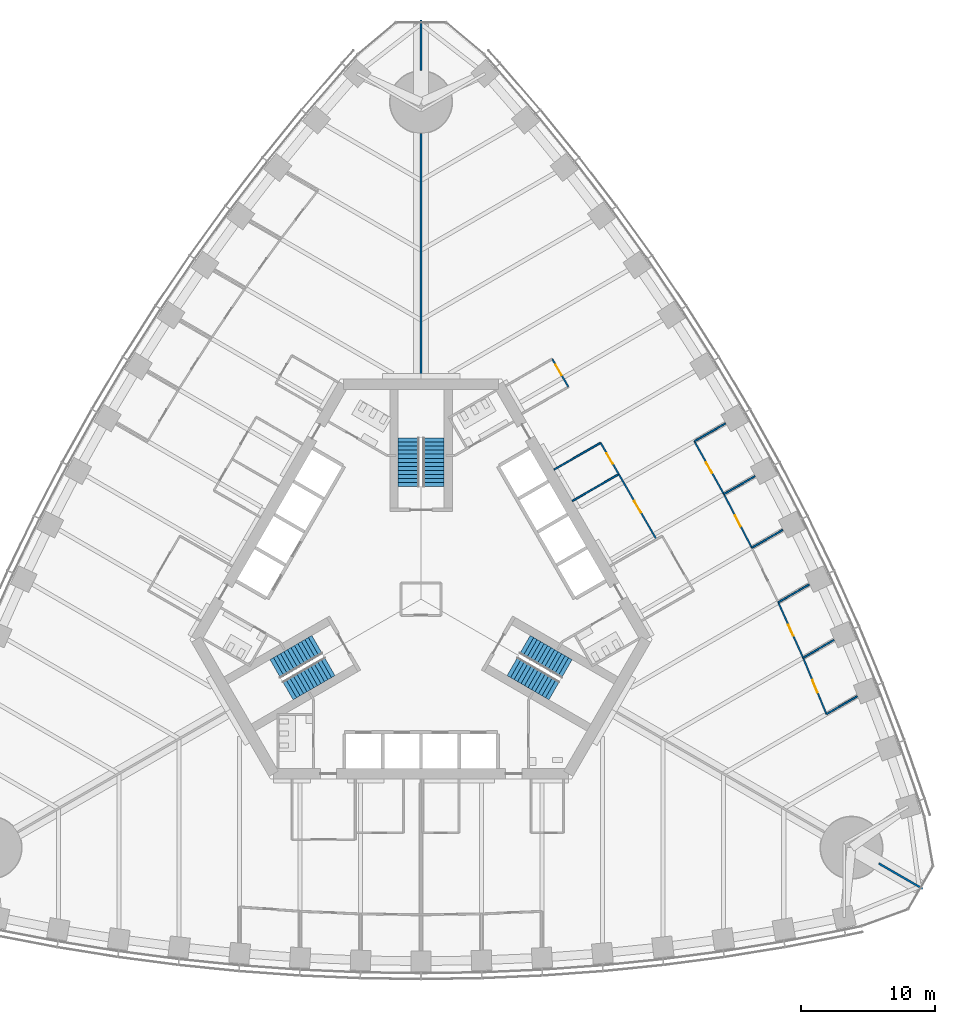
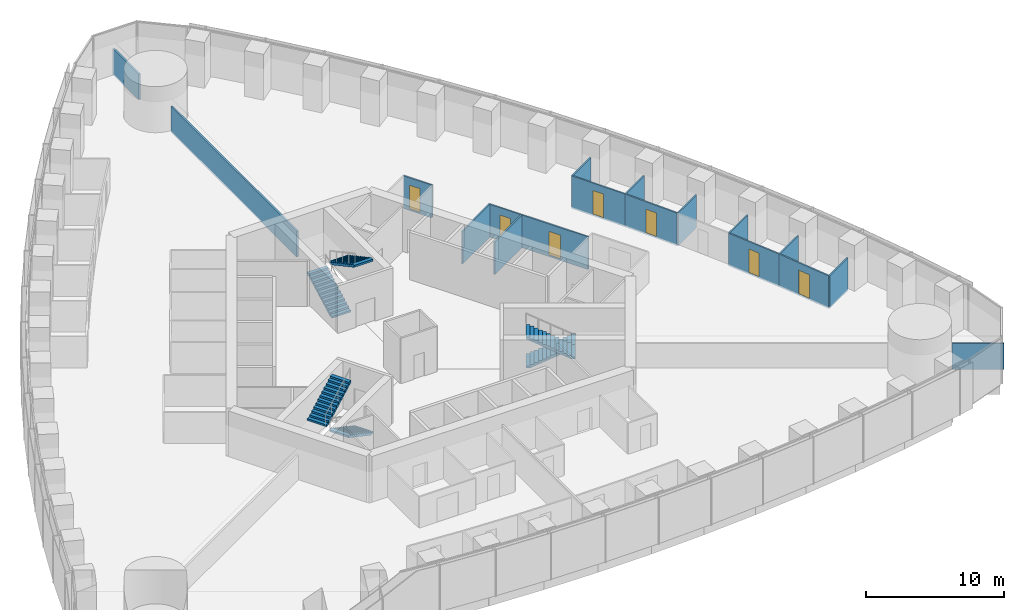
# One storey, part 13 of 18: 18 walls, 7 doors, 6 stair flights, 7 openings, 3 elements without a shape of their own.
"""IFC4 building model written with IfcOpenShell, lengths in metres."""

from ifc_helpers import new_model, si_unit, direction, frame, frame_2d, origin, place, context, subcontext, project, spatial, polyline, rectangle, outline, extrude, material, layer, layer_set, type_object, element, fill, aggregate, save


model = new_model("IFC4")

# Units and contexts
model_context = context("Model", 3, precision=1e-05, world=origin(), true_north=direction((0.0, 1.0)))
body_context = subcontext(model_context, "Body", "Model", "MODEL_VIEW")
ifc_project = project(units=[si_unit("LENGTHUNIT", "METRE"), si_unit("AREAUNIT", "SQUARE_METRE"), si_unit("VOLUMEUNIT", "CUBIC_METRE"), si_unit("PLANEANGLEUNIT", "RADIAN"), si_unit("MASSUNIT", "GRAM", prefix="KILO")], contexts=[model_context])

# Site, building, storey
site_placement = place(None, origin())
site = spatial("IfcSite", under=ifc_project, at=site_placement, CompositionType="ELEMENT")
building_placement = place(site_placement, origin())
building = spatial("IfcBuilding", under=site, at=building_placement, Name="Trefoil Bronze Tower", CompositionType="ELEMENT")
storey_placement = place(building_placement, frame((0.0, 0.0, 29.10009765625)))
storey = spatial("IfcBuildingStorey", under=building, at=storey_placement, Name="L06", CompositionType="ELEMENT", Elevation=29.10009765625)

# Wall, opening, door
ifc_material_1 = material(Name="Glazed partition", Category="glass")
ifc_layer_1 = layer(ifc_material_1, 0.1201171875)
ifc_layer_set_1 = layer_set([ifc_layer_1], Name="Glazed partition 120")
wall_type_1 = type_object("IfcWallType", Name="Glazed partition 120", PredefinedType="PARTITIONING", material=ifc_layer_set_1)
wall_1_placement = place(storey_placement, frame((14.71875, 9.30615234375, 0.0), z_axis=(0.0, 0.0, 1.0), x_axis=(-0.4999416173, 0.866059108428, 0.0)))
wall_1 = element("IfcWall", 1, at=wall_1_placement, inside=storey, type_object=wall_type_1, Name="Partition F2 L06", PredefinedType="PARTITIONING", context=body_context, shape_type="SweptSolid", body=[
    extrude(rectangle(XDim=2.699951171875, YDim=0.1201171875, at=frame_2d((1.35009765625, 0.0))), origin(), (0.0, 0.0, 1.0), 2.89990234375),
])
opening_1_placement = place(wall_1_placement, frame((0.89990234375, 0.0, 0.14990234375)))
opening_1 = element("IfcOpeningElement", 2, at=opening_1_placement, cuts=wall_1, Name="Opening D8", PredefinedType="OPENING", context=body_context, shape_type="SweptSolid", body=[
    extrude(rectangle(XDim=0.89990234375, YDim=2.10009765625, at=frame_2d((0.449951171875, 1.050048828125))), frame((0.0, 0.070068359375, 0.0), z_axis=(0.0, -1.0, 0.0), x_axis=(1.0, 0.0, 0.0)), (0.0, 0.0, 1.0), 0.14013671875),
])
ifc_material_2 = material(Name="Timber door", Category="wood")
door_type_1 = type_object("IfcDoorType", Name="Office door 900", OperationType="SINGLE_SWING_LEFT", PredefinedType="DOOR", material=ifc_material_2)
door_1_placement = place(opening_1_placement, origin())
door_1 = element("IfcDoor", 3, at=door_1_placement, inside=storey, type_object=door_type_1, Name="Pantry door F2 L06", OperationType="SINGLE_SWING_RIGHT", OverallHeight=2.10009765625, OverallWidth=0.89990234375, PredefinedType="DOOR", context=body_context, shape_type="SweptSolid", body=[
    extrude(rectangle(XDim=0.89990234375, YDim=2.10009765625, at=frame_2d((0.449951171875, 1.050048828125))), frame((0.0, 0.02490234375, 0.0), z_axis=(0.0, -1.0, 0.0), x_axis=(1.0, 0.0, 0.0)), (0.0, 0.0, 1.0), 0.050048828125),
])
fill(opening_1, door_1)

wall_2_placement = place(storey_placement, frame((10.96875, 15.801513671875, 0.0), z_axis=(0.0, 0.0, 1.0), x_axis=(-0.500001309137, 0.866024647952, 0.0)))
wall_2 = element("IfcWall", 4, at=wall_2_placement, inside=storey, type_object=wall_type_1, Name="Partition F2 L06", PredefinedType="PARTITIONING", context=body_context, shape_type="SweptSolid", body=[
    extrude(rectangle(XDim=2.39990234375, YDim=0.1201171875, at=frame_2d((1.199951171875, 0.0))), origin(), (0.0, 0.0, 1.0), 2.89990234375),
])
opening_2_placement = place(wall_2_placement, frame((1.0, 0.0, 0.14990234375)))
opening_2 = element("IfcOpeningElement", 5, at=opening_2_placement, cuts=wall_2, Name="Opening D8", PredefinedType="OPENING", context=body_context, shape_type="SweptSolid", body=[
    extrude(rectangle(XDim=0.89990234375, YDim=2.10009765625, at=frame_2d((0.449951171875, 1.050048828125))), frame((0.0, 0.070068359375, 0.0), z_axis=(0.0, -1.0, 0.0), x_axis=(1.0, 0.0, 0.0)), (0.0, 0.0, 1.0), 0.14013671875),
])
door_2_placement = place(opening_2_placement, origin())
door_2 = element("IfcDoor", 6, at=door_2_placement, inside=storey, type_object=door_type_1, Name="Comms room door F2 L06", OperationType="SINGLE_SWING_RIGHT", OverallHeight=2.10009765625, OverallWidth=0.89990234375, PredefinedType="DOOR", context=body_context, shape_type="SweptSolid", body=[
    extrude(rectangle(XDim=0.89990234375, YDim=2.10009765625, at=frame_2d((0.449951171875, 1.050048828125))), frame((0.0, 0.02490234375, 0.0), z_axis=(0.0, -1.0, 0.0), x_axis=(1.0, 0.0, 0.0)), (0.0, 0.0, 1.0), 0.050048828125),
])
fill(opening_2, door_2)

wall_3_placement = place(storey_placement, frame((17.518798828125, 4.45654296875, 0.0), z_axis=(0.0, 0.0, 1.0), x_axis=(-0.500016814911, 0.866015695474, 0.0)))
wall_3 = element("IfcWall", 7, at=wall_3_placement, inside=storey, type_object=wall_type_1, Name="Partition F2 L06", PredefinedType="PARTITIONING", context=body_context, shape_type="SweptSolid", body=[
    extrude(rectangle(XDim=5.599853515625, YDim=0.1201171875, at=frame_2d((2.7998046875, 0.0))), origin(), (0.0, 0.0, 1.0), 2.89990234375),
])
opening_3_placement = place(wall_3_placement, frame((2.300048828125, 0.0, 0.14990234375)))
opening_3 = element("IfcOpeningElement", 8, at=opening_3_placement, cuts=wall_3, Name="Opening D9", PredefinedType="OPENING", context=body_context, shape_type="SweptSolid", body=[
    extrude(rectangle(XDim=1.0, YDim=2.10009765625, at=frame_2d((0.5, 1.050048828125))), frame((0.0, 0.070068359375, 0.0), z_axis=(0.0, -1.0, 0.0), x_axis=(1.0, 0.0, 0.0)), (0.0, 0.0, 1.0), 0.14013671875),
])
ifc_material_3 = material(Name="Glazed timber door", Category="wood")
door_type_2 = type_object("IfcDoorType", Name="Meeting room door 1000", OperationType="SINGLE_SWING_LEFT", PredefinedType="DOOR", material=ifc_material_3)
door_3_placement = place(opening_3_placement, origin())
door_3 = element("IfcDoor", 9, at=door_3_placement, inside=storey, type_object=door_type_2, Name="Meeting room door F2 L06", OperationType="SINGLE_SWING_LEFT", OverallHeight=2.10009765625, OverallWidth=1.0, PredefinedType="DOOR", context=body_context, shape_type="SweptSolid", body=[
    extrude(rectangle(XDim=1.0, YDim=2.10009765625, at=frame_2d((0.5, 1.050048828125))), frame((0.0, 0.02490234375, 0.0), z_axis=(0.0, -1.0, 0.0), x_axis=(1.0, 0.0, 0.0)), (0.0, 0.0, 1.0), 0.050048828125),
])
fill(opening_3, door_3)

# Walls
for number, where, z_axis, x_axis, name in (
    (10, (11.254638671875, 7.30615234375, 0.0), (0.0, 0.0, 1.0), (0.866026010844, 0.49999894854, 0.0), "Partition F2 L06"),
    (11, (9.90478515625, 9.64453125, 0.0), (0.0, 0.0, 1.0), (0.866026010844, 0.49999894854, 0.0), "Partition F2 L06"),
):
    element("IfcWall", number, at=place(storey_placement, frame(where, z_axis=z_axis, x_axis=x_axis)), inside=storey, type_object=wall_type_1, Name=name, PredefinedType="PARTITIONING", context=body_context, shape_type="SweptSolid", body=[
        extrude(rectangle(XDim=4.0, YDim=0.1201171875, at=frame_2d((2.0, 0.0))), origin(), (0.0, 0.0, 1.0), 2.89990234375),
    ])

# Wall, opening, door
wall_4_placement = place(storey_placement, frame((28.44287109375, -4.363037109375, 0.0), z_axis=(0.0, 0.0, 1.0), x_axis=(-0.409495979977, 0.912311921649, 0.0)))
wall_4 = element("IfcWall", 12, at=wall_4_placement, inside=storey, type_object=wall_type_1, Name="Partition F2 L06", PredefinedType="PARTITIONING", context=body_context, shape_type="SweptSolid", body=[
    extrude(rectangle(XDim=4.5234375, YDim=0.1201171875, at=frame_2d((2.26171875, 0.0))), origin(), (0.0, 0.0, 1.0), 2.89990234375),
])
opening_4_placement = place(wall_4_placement, frame((1.800048828125, 0.0, 0.14990234375)))
opening_4 = element("IfcOpeningElement", 13, at=opening_4_placement, cuts=wall_4, Name="Opening D8", PredefinedType="OPENING", context=body_context, shape_type="SweptSolid", body=[
    extrude(rectangle(XDim=0.89990234375, YDim=2.10009765625, at=frame_2d((0.449951171875, 1.050048828125))), frame((0.0, 0.070068359375, 0.0), z_axis=(0.0, -1.0, 0.0), x_axis=(1.0, 0.0, 0.0)), (0.0, 0.0, 1.0), 0.14013671875),
])
door_4_placement = place(opening_4_placement, frame((0.89990234375, 0.0, 0.0), z_axis=(0.0, 0.0, 1.0), x_axis=(-1.0, 0.0, 0.0)))
door_4 = element("IfcDoor", 14, at=door_4_placement, inside=storey, type_object=door_type_1, Name="Office door F2 L06", OperationType="SINGLE_SWING_RIGHT", OverallHeight=2.10009765625, OverallWidth=0.89990234375, PredefinedType="DOOR", context=body_context, shape_type="SweptSolid", body=[
    extrude(rectangle(XDim=0.89990234375, YDim=2.10009765625, at=frame_2d((0.449951171875, 1.050048828125))), frame((0.0, 0.02490234375, 0.0), z_axis=(0.0, -1.0, 0.0), x_axis=(1.0, 0.0, 0.0)), (0.0, 0.0, 1.0), 0.050048828125),
])
fill(opening_4, door_4)

wall_5_placement = place(storey_placement, frame((30.179443359375, -8.556640625, 0.0), z_axis=(0.0, 0.0, 1.0), x_axis=(-0.382594071331, 0.923916542001, 0.0)))
wall_5 = element("IfcWall", 15, at=wall_5_placement, inside=storey, type_object=wall_type_1, Name="Partition F2 L06", PredefinedType="PARTITIONING", context=body_context, shape_type="SweptSolid", body=[
    extrude(rectangle(XDim=4.5390625, YDim=0.1201171875, at=frame_2d((2.26953125, 0.0))), origin(), (0.0, 0.0, 1.0), 2.89990234375),
])
opening_5_placement = place(wall_5_placement, frame((1.75, 0.0, 0.14990234375)))
opening_5 = element("IfcOpeningElement", 16, at=opening_5_placement, cuts=wall_5, Name="Opening D9", PredefinedType="OPENING", context=body_context, shape_type="SweptSolid", body=[
    extrude(rectangle(XDim=1.0, YDim=2.10009765625, at=frame_2d((0.5, 1.050048828125))), frame((0.0, 0.070068359375, 0.0), z_axis=(0.0, -1.0, 0.0), x_axis=(1.0, 0.0, 0.0)), (0.0, 0.0, 1.0), 0.14013671875),
])
door_5_placement = place(opening_5_placement, frame((1.0, 0.0, 0.0), z_axis=(0.0, 0.0, 1.0), x_axis=(-1.0, 0.0, 0.0)))
door_5 = element("IfcDoor", 17, at=door_5_placement, inside=storey, type_object=door_type_2, Name="Meeting room door F2 L06", OperationType="SINGLE_SWING_RIGHT", OverallHeight=2.10009765625, OverallWidth=1.0, PredefinedType="DOOR", context=body_context, shape_type="SweptSolid", body=[
    extrude(rectangle(XDim=1.0, YDim=2.10009765625, at=frame_2d((0.5, 1.050048828125))), frame((0.0, 0.02490234375, 0.0), z_axis=(0.0, -1.0, 0.0), x_axis=(1.0, 0.0, 0.0)), (0.0, 0.0, 1.0), 0.050048828125),
])
fill(opening_5, door_5)

wall_6_placement = place(storey_placement, frame((22.5439453125, 7.819580078125, 0.0), z_axis=(0.0, 0.0, 1.0), x_axis=(-0.487373854787, 0.873193406795, 0.0)))
wall_6 = element("IfcWall", 18, at=wall_6_placement, inside=storey, type_object=wall_type_1, Name="Partition F2 L06", PredefinedType="PARTITIONING", context=body_context, shape_type="SweptSolid", body=[
    extrude(rectangle(XDim=4.500244140625, YDim=0.1201171875, at=frame_2d((2.25, 0.0))), origin(), (0.0, 0.0, 1.0), 2.89990234375),
])
opening_6_placement = place(wall_6_placement, frame((1.800048828125, 0.0, 0.14990234375)))
opening_6 = element("IfcOpeningElement", 19, at=opening_6_placement, cuts=wall_6, Name="Opening D8", PredefinedType="OPENING", context=body_context, shape_type="SweptSolid", body=[
    extrude(rectangle(XDim=0.89990234375, YDim=2.10009765625, at=frame_2d((0.449951171875, 1.050048828125))), frame((0.0, 0.070068359375, 0.0), z_axis=(0.0, -1.0, 0.0), x_axis=(1.0, 0.0, 0.0)), (0.0, 0.0, 1.0), 0.14013671875),
])
door_6_placement = place(opening_6_placement, frame((0.89990234375, 0.0, 0.0), z_axis=(0.0, 0.0, 1.0), x_axis=(-1.0, 0.0, 0.0)))
door_6 = element("IfcDoor", 20, at=door_6_placement, inside=storey, type_object=door_type_1, Name="Office door F2 L06", OperationType="SINGLE_SWING_RIGHT", OverallHeight=2.10009765625, OverallWidth=0.89990234375, PredefinedType="DOOR", context=body_context, shape_type="SweptSolid", body=[
    extrude(rectangle(XDim=0.89990234375, YDim=2.10009765625, at=frame_2d((0.449951171875, 1.050048828125))), frame((0.0, 0.02490234375, 0.0), z_axis=(0.0, -1.0, 0.0), x_axis=(1.0, 0.0, 0.0)), (0.0, 0.0, 1.0), 0.050048828125),
])
fill(opening_6, door_6)

wall_7_placement = place(storey_placement, frame((24.6240234375, 3.824462890625, 0.0), z_axis=(0.0, 0.0, 1.0), x_axis=(-0.461810056307, 0.886978845235, 0.0)))
wall_7 = element("IfcWall", 21, at=wall_7_placement, inside=storey, type_object=wall_type_1, Name="Partition F2 L06", PredefinedType="PARTITIONING", context=body_context, shape_type="SweptSolid", body=[
    extrude(rectangle(XDim=4.504150390625, YDim=0.1201171875, at=frame_2d((2.251953125, 0.0))), origin(), (0.0, 0.0, 1.0), 2.89990234375),
])
opening_7_placement = place(wall_7_placement, frame((1.800048828125, 0.0, 0.14990234375)))
opening_7 = element("IfcOpeningElement", 22, at=opening_7_placement, cuts=wall_7, Name="Opening D8", PredefinedType="OPENING", context=body_context, shape_type="SweptSolid", body=[
    extrude(rectangle(XDim=0.89990234375, YDim=2.10009765625, at=frame_2d((0.449951171875, 1.050048828125))), frame((0.0, 0.070068359375, 0.0), z_axis=(0.0, -1.0, 0.0), x_axis=(1.0, 0.0, 0.0)), (0.0, 0.0, 1.0), 0.14013671875),
])
door_7_placement = place(opening_7_placement, frame((0.89990234375, 0.0, 0.0), z_axis=(0.0, 0.0, 1.0), x_axis=(-1.0, 0.0, 0.0)))
door_7 = element("IfcDoor", 23, at=door_7_placement, inside=storey, type_object=door_type_1, Name="Office door F2 L06", OperationType="SINGLE_SWING_RIGHT", OverallHeight=2.10009765625, OverallWidth=0.89990234375, PredefinedType="DOOR", context=body_context, shape_type="SweptSolid", body=[
    extrude(rectangle(XDim=0.89990234375, YDim=2.10009765625, at=frame_2d((0.449951171875, 1.050048828125))), frame((0.0, 0.02490234375, 0.0), z_axis=(0.0, -1.0, 0.0), x_axis=(1.0, 0.0, 0.0)), (0.0, 0.0, 1.0), 0.050048828125),
])
fill(opening_7, door_7)

# Walls
wall_8_placement = place(storey_placement, frame((20.3505859375, 11.749267578125, 0.0), z_axis=(0.0, 0.0, 1.0), x_axis=(0.865989150234, 0.500062787734, 0.0)))
element("IfcWall", 24, at=wall_8_placement, inside=storey, type_object=wall_type_1, Name="Partition F2 L06", PredefinedType="PARTITIONING", context=body_context, shape_type="SweptSolid", body=[
    extrude(rectangle(XDim=2.670166015625, YDim=0.1201171875, at=frame_2d((1.3349609375, 0.0))), origin(), (0.0, 0.0, 1.0), 2.89990234375),
])
wall_9_placement = place(storey_placement, frame((26.590576171875, -0.236328125, 0.0), z_axis=(0.0, 0.0, 1.0), x_axis=(0.866023818221, 0.500002746266, 0.0)))
element("IfcWall", 25, at=wall_9_placement, inside=storey, type_object=wall_type_1, Name="Partition F2 L06", PredefinedType="PARTITIONING", context=body_context, shape_type="SweptSolid", body=[
    extrude(rectangle(XDim=2.6640625, YDim=0.1201171875, at=frame_2d((1.33203125, 0.0))), origin(), (0.0, 0.0, 1.0), 2.89990234375),
])
wall_10_placement = place(storey_placement, frame((28.44287109375, -4.363037109375, 0.0), z_axis=(0.0, 0.0, 1.0), x_axis=(0.866031171652, 0.499990009627, 0.0)))
element("IfcWall", 26, at=wall_10_placement, inside=storey, type_object=wall_type_1, Name="Partition F2 L06", PredefinedType="PARTITIONING", context=body_context, shape_type="SweptSolid", body=[
    extrude(rectangle(XDim=2.6591796875, YDim=0.1201171875, at=frame_2d((1.32958984375, 0.0))), origin(), (0.0, 0.0, 1.0), 2.89990234375),
])
wall_11_placement = place(storey_placement, frame((30.179443359375, -8.556640625, 0.0), z_axis=(0.0, 0.0, 1.0), x_axis=(0.866026229868, 0.499998569178, 0.0)))
element("IfcWall", 27, at=wall_11_placement, inside=storey, type_object=wall_type_1, Name="Partition F2 L06", PredefinedType="PARTITIONING", context=body_context, shape_type="SweptSolid", body=[
    extrude(rectangle(XDim=2.6533203125, YDim=0.1201171875, at=frame_2d((1.32666015625, 0.0))), origin(), (0.0, 0.0, 1.0), 2.89990234375),
])
wall_12_placement = place(storey_placement, frame((22.5439453125, 7.819580078125, 0.0), z_axis=(0.0, 0.0, 1.0), x_axis=(0.866022619654, 0.500004822225, 0.0)))
element("IfcWall", 28, at=wall_12_placement, inside=storey, type_object=wall_type_1, Name="Partition F2 L06", PredefinedType="PARTITIONING", context=body_context, shape_type="SweptSolid", body=[
    extrude(rectangle(XDim=2.66943359375, YDim=0.1201171875, at=frame_2d((1.334716796875, 0.0))), origin(), (0.0, 0.0, 1.0), 2.89990234375),
])
wall_13_placement = place(storey_placement, frame((24.6240234375, 3.824462890625, 0.0), z_axis=(0.0, 0.0, 1.0), x_axis=(0.866020974757, 0.500007671222, 0.0)))
element("IfcWall", 29, at=wall_13_placement, inside=storey, type_object=wall_type_1, Name="Partition F2 L06", PredefinedType="PARTITIONING", context=body_context, shape_type="SweptSolid", body=[
    extrude(rectangle(XDim=2.66748046875, YDim=0.1201171875, at=frame_2d((1.333740234375, 0.0))), origin(), (0.0, 0.0, 1.0), 2.89990234375),
])
ifc_material_4 = material(Name="Gypsum board on steel studs", Category="steel")
ifc_layer_2 = layer(ifc_material_4, 0.14990234375)
ifc_layer_set_2 = layer_set([ifc_layer_2], Name="Party wall 150")
wall_type_2 = type_object("IfcWallType", Name="Party wall 150", PredefinedType="PARTITIONING", material=ifc_layer_set_2)
wall_14_placement = place(storey_placement, frame((34.078125, -19.675048828125, 0.0), z_axis=(0.0, 0.0, 1.0), x_axis=(0.866019247219, -0.500010663332, 0.0)))
element("IfcWall", 30, at=wall_14_placement, inside=storey, type_object=wall_type_2, Name="Party wall K1 L06", PredefinedType="PARTITIONING", context=body_context, shape_type="SweptSolid", body=[
    extrude(rectangle(XDim=3.76416015625, YDim=0.14990234375, at=frame_2d((1.882080078125, 0.0))), origin(), (0.0, 0.0, 1.0), 2.2998046875),
])
wall_15_placement = place(storey_placement, frame((0.0, 16.39990234375, 0.0), z_axis=(0.0, 0.0, 1.0), x_axis=(0.0, 1.0, 0.0)))
element("IfcWall", 31, at=wall_15_placement, inside=storey, type_object=wall_type_2, Name="Party wall K2 L06", PredefinedType="PARTITIONING", context=body_context, shape_type="SweptSolid", body=[
    extrude(rectangle(XDim=18.25, YDim=0.14990234375, at=frame_2d((9.125, 0.0))), origin(), (0.0, 0.0, 1.0), 2.2998046875),
])
wall_16_placement = place(storey_placement, frame((0.0, 39.35009765625, 0.0), z_axis=(0.0, 0.0, 1.0), x_axis=(0.0, 1.0, 0.0)))
element("IfcWall", 32, at=wall_16_placement, inside=storey, type_object=wall_type_2, Name="Party wall K2 L06", PredefinedType="PARTITIONING", context=body_context, shape_type="SweptSolid", body=[
    extrude(rectangle(XDim=3.763916015625, YDim=0.14990234375, at=frame_2d((1.8818359375, 0.0))), origin(), (0.0, 0.0, 1.0), 2.2998046875),
])

# Stair, stair flights
ifc_material_5 = material(Name="Precast concrete B80", Category="concrete")
stair_type = type_object("IfcStairType", Name="Exit stair 26 risers", PredefinedType="HALF_TURN_STAIR", material=ifc_material_5)
stair_1_placement = place(storey_placement, origin())
stair_1 = element("IfcStair", 33, at=stair_1_placement, inside=storey, type_object=stair_type, Name="Stair ST1 L06", PredefinedType="HALF_TURN_STAIR")
ifc_material_6 = material(Name="Precast concrete B80", Category="concrete")
stair_flight_type = type_object("IfcStairFlightType", Name="Stair flight 1600", PredefinedType="STRAIGHT", material=ifc_material_6)
stair_flight_1_placement = place(storey_placement, frame((7.728515625, -3.39404296875, 0.0), z_axis=(0.0, 0.0, 1.0), x_axis=(0.866025403784, -0.5, 0.0)))
stair_flight_1 = element("IfcStairFlight", 34, at=stair_flight_1_placement, type_object=stair_flight_type, Name="ST1 flight 1", NumberOfRisers=13, NumberOfTreads=12, PredefinedType="STRAIGHT", RiserHeight=0.161538462, TreadLength=0.3, context=body_context, shape_type="SweptSolid", body=[
    extrude(outline(polyline([(0.0, 0.0), (0.0, 0.16162109375), (0.300048828125, 0.16162109375), (0.300048828125, 0.322998046875), (0.60009765625, 0.322998046875), (0.60009765625, 0.484619140625), (0.89990234375, 0.484619140625), (0.89990234375, 0.646240234375), (1.199951171875, 0.646240234375), (1.199951171875, 0.8076171875), (1.5, 0.8076171875), (1.5, 0.96923828125), (1.800048828125, 0.96923828125), (1.800048828125, 1.130859375), (2.10009765625, 1.130859375), (2.10009765625, 1.292236328125), (2.39990234375, 1.292236328125), (2.39990234375, 1.453857421875), (2.699951171875, 1.453857421875), (2.699951171875, 1.615478515625), (3.0, 1.615478515625), (3.0, 1.77685546875), (3.300048828125, 1.77685546875), (3.300048828125, 1.9384765625), (3.60009765625, 1.9384765625), (3.60009765625, 2.10009765625), (3.60009765625, 1.768310546875), (0.316162109375, 0.0), (0.0, 0.0)])), frame((0.0, 0.800048828125, 0.0), z_axis=(0.0, -1.0, 0.0), x_axis=(1.0, 0.0, 0.0)), (0.0, 0.0, 1.0), 1.60009765625),
])
stair_flight_2_placement = place(storey_placement, frame((9.921142578125, -6.796142578125, 2.099853515625), z_axis=(0.0, 0.0, 1.0), x_axis=(-0.866025403784, 0.5, 0.0)))
stair_flight_2 = element("IfcStairFlight", 35, at=stair_flight_2_placement, type_object=stair_flight_type, Name="ST1 flight 2", NumberOfRisers=13, NumberOfTreads=12, PredefinedType="STRAIGHT", RiserHeight=0.161538462, TreadLength=0.3, context=body_context, shape_type="SweptSolid", body=[
    extrude(outline(polyline([(0.0, 0.0), (0.0, 0.16162109375), (0.300048828125, 0.16162109375), (0.300048828125, 0.322998046875), (0.60009765625, 0.322998046875), (0.60009765625, 0.484619140625), (0.89990234375, 0.484619140625), (0.89990234375, 0.646240234375), (1.199951171875, 0.646240234375), (1.199951171875, 0.8076171875), (1.5, 0.8076171875), (1.5, 0.96923828125), (1.800048828125, 0.96923828125), (1.800048828125, 1.130859375), (2.10009765625, 1.130859375), (2.10009765625, 1.292236328125), (2.39990234375, 1.292236328125), (2.39990234375, 1.453857421875), (2.699951171875, 1.453857421875), (2.699951171875, 1.615478515625), (3.0, 1.615478515625), (3.0, 1.77685546875), (3.300048828125, 1.77685546875), (3.300048828125, 1.9384765625), (3.60009765625, 1.9384765625), (3.60009765625, 2.10009765625), (3.60009765625, 1.768310546875), (0.316162109375, 0.0), (0.0, 0.0)])), frame((0.0, 0.800048828125, 0.0), z_axis=(0.0, -1.0, 0.0), x_axis=(1.0, 0.0, 0.0)), (0.0, 0.0, 1.0), 1.60009765625),
])
aggregate(stair_1, [stair_flight_1, stair_flight_2])

stair_2_placement = place(storey_placement, origin())
stair_2 = element("IfcStair", 36, at=stair_2_placement, inside=storey, type_object=stair_type, Name="Stair ST2 L06", PredefinedType="HALF_TURN_STAIR")
stair_flight_3_placement = place(storey_placement, frame((-0.925048828125, 8.389892578125, 0.0), z_axis=(0.0, 0.0, 1.0), x_axis=(0.0, 1.0, 0.0)))
stair_flight_3 = element("IfcStairFlight", 37, at=stair_flight_3_placement, type_object=stair_flight_type, Name="ST2 flight 1", NumberOfRisers=13, NumberOfTreads=12, PredefinedType="STRAIGHT", RiserHeight=0.161538462, TreadLength=0.3, context=body_context, shape_type="SweptSolid", body=[
    extrude(outline(polyline([(0.0, 0.0), (0.0, 0.16162109375), (0.300048828125, 0.16162109375), (0.300048828125, 0.322998046875), (0.60009765625, 0.322998046875), (0.60009765625, 0.484619140625), (0.89990234375, 0.484619140625), (0.89990234375, 0.646240234375), (1.199951171875, 0.646240234375), (1.199951171875, 0.8076171875), (1.5, 0.8076171875), (1.5, 0.96923828125), (1.800048828125, 0.96923828125), (1.800048828125, 1.130859375), (2.10009765625, 1.130859375), (2.10009765625, 1.292236328125), (2.39990234375, 1.292236328125), (2.39990234375, 1.453857421875), (2.699951171875, 1.453857421875), (2.699951171875, 1.615478515625), (3.0, 1.615478515625), (3.0, 1.77685546875), (3.300048828125, 1.77685546875), (3.300048828125, 1.9384765625), (3.60009765625, 1.9384765625), (3.60009765625, 2.10009765625), (3.60009765625, 1.768310546875), (0.316162109375, 0.0), (0.0, 0.0)])), frame((0.0, 0.800048828125, 0.0), z_axis=(0.0, -1.0, 0.0), x_axis=(1.0, 0.0, 0.0)), (0.0, 0.0, 1.0), 1.60009765625),
])
stair_flight_4_placement = place(storey_placement, frame((0.925048828125, 11.989990234375, 2.099853515625), z_axis=(0.0, 0.0, 1.0), x_axis=(0.0, -1.0, 0.0)))
stair_flight_4 = element("IfcStairFlight", 38, at=stair_flight_4_placement, type_object=stair_flight_type, Name="ST2 flight 2", NumberOfRisers=13, NumberOfTreads=12, PredefinedType="STRAIGHT", RiserHeight=0.161538462, TreadLength=0.3, context=body_context, shape_type="SweptSolid", body=[
    extrude(outline(polyline([(0.0, 0.0), (0.0, 0.16162109375), (0.300048828125, 0.16162109375), (0.300048828125, 0.322998046875), (0.60009765625, 0.322998046875), (0.60009765625, 0.484619140625), (0.89990234375, 0.484619140625), (0.89990234375, 0.646240234375), (1.199951171875, 0.646240234375), (1.199951171875, 0.8076171875), (1.5, 0.8076171875), (1.5, 0.96923828125), (1.800048828125, 0.96923828125), (1.800048828125, 1.130859375), (2.10009765625, 1.130859375), (2.10009765625, 1.292236328125), (2.39990234375, 1.292236328125), (2.39990234375, 1.453857421875), (2.699951171875, 1.453857421875), (2.699951171875, 1.615478515625), (3.0, 1.615478515625), (3.0, 1.77685546875), (3.300048828125, 1.77685546875), (3.300048828125, 1.9384765625), (3.60009765625, 1.9384765625), (3.60009765625, 2.10009765625), (3.60009765625, 1.768310546875), (0.316162109375, 0.0), (0.0, 0.0)])), frame((0.0, 0.800048828125, 0.0), z_axis=(0.0, -1.0, 0.0), x_axis=(1.0, 0.0, 0.0)), (0.0, 0.0, 1.0), 1.60009765625),
])
aggregate(stair_2, [stair_flight_3, stair_flight_4])

stair_3_placement = place(storey_placement, origin())
stair_3 = element("IfcStair", 39, at=stair_3_placement, inside=storey, type_object=stair_type, Name="Stair ST3 L06", PredefinedType="HALF_TURN_STAIR")
stair_flight_5_placement = place(storey_placement, frame((-6.803466796875, -4.99609375, 0.0), z_axis=(0.0, 0.0, 1.0), x_axis=(-0.866025403784, -0.5, 0.0)))
stair_flight_5 = element("IfcStairFlight", 40, at=stair_flight_5_placement, type_object=stair_flight_type, Name="ST3 flight 1", NumberOfRisers=13, NumberOfTreads=12, PredefinedType="STRAIGHT", RiserHeight=0.161538462, TreadLength=0.3, context=body_context, shape_type="SweptSolid", body=[
    extrude(outline(polyline([(0.0, 0.0), (0.0, 0.16162109375), (0.300048828125, 0.16162109375), (0.300048828125, 0.322998046875), (0.60009765625, 0.322998046875), (0.60009765625, 0.484619140625), (0.89990234375, 0.484619140625), (0.89990234375, 0.646240234375), (1.199951171875, 0.646240234375), (1.199951171875, 0.8076171875), (1.5, 0.8076171875), (1.5, 0.96923828125), (1.800048828125, 0.96923828125), (1.800048828125, 1.130859375), (2.10009765625, 1.130859375), (2.10009765625, 1.292236328125), (2.39990234375, 1.292236328125), (2.39990234375, 1.453857421875), (2.699951171875, 1.453857421875), (2.699951171875, 1.615478515625), (3.0, 1.615478515625), (3.0, 1.77685546875), (3.300048828125, 1.77685546875), (3.300048828125, 1.9384765625), (3.60009765625, 1.9384765625), (3.60009765625, 2.10009765625), (3.60009765625, 1.768310546875), (0.316162109375, 0.0), (0.0, 0.0)])), frame((0.0, 0.800048828125, 0.0), z_axis=(0.0, -1.0, 0.0), x_axis=(1.0, 0.0, 0.0)), (0.0, 0.0, 1.0), 1.60009765625),
])
stair_flight_6_placement = place(storey_placement, frame((-10.84619140625, -5.19384765625, 2.099853515625), z_axis=(0.0, 0.0, 1.0), x_axis=(0.866025403784, 0.5, 0.0)))
stair_flight_6 = element("IfcStairFlight", 41, at=stair_flight_6_placement, type_object=stair_flight_type, Name="ST3 flight 2", NumberOfRisers=13, NumberOfTreads=12, PredefinedType="STRAIGHT", RiserHeight=0.161538462, TreadLength=0.3, context=body_context, shape_type="SweptSolid", body=[
    extrude(outline(polyline([(0.0, 0.0), (0.0, 0.16162109375), (0.300048828125, 0.16162109375), (0.300048828125, 0.322998046875), (0.60009765625, 0.322998046875), (0.60009765625, 0.484619140625), (0.89990234375, 0.484619140625), (0.89990234375, 0.646240234375), (1.199951171875, 0.646240234375), (1.199951171875, 0.8076171875), (1.5, 0.8076171875), (1.5, 0.96923828125), (1.800048828125, 0.96923828125), (1.800048828125, 1.130859375), (2.10009765625, 1.130859375), (2.10009765625, 1.292236328125), (2.39990234375, 1.292236328125), (2.39990234375, 1.453857421875), (2.699951171875, 1.453857421875), (2.699951171875, 1.615478515625), (3.0, 1.615478515625), (3.0, 1.77685546875), (3.300048828125, 1.77685546875), (3.300048828125, 1.9384765625), (3.60009765625, 1.9384765625), (3.60009765625, 2.10009765625), (3.60009765625, 1.768310546875), (0.316162109375, 0.0), (0.0, 0.0)])), frame((0.0, 0.800048828125, 0.0), z_axis=(0.0, -1.0, 0.0), x_axis=(1.0, 0.0, 0.0)), (0.0, 0.0, 1.0), 1.60009765625),
])
aggregate(stair_3, [stair_flight_5, stair_flight_6])

save(model, "model.ifc")
